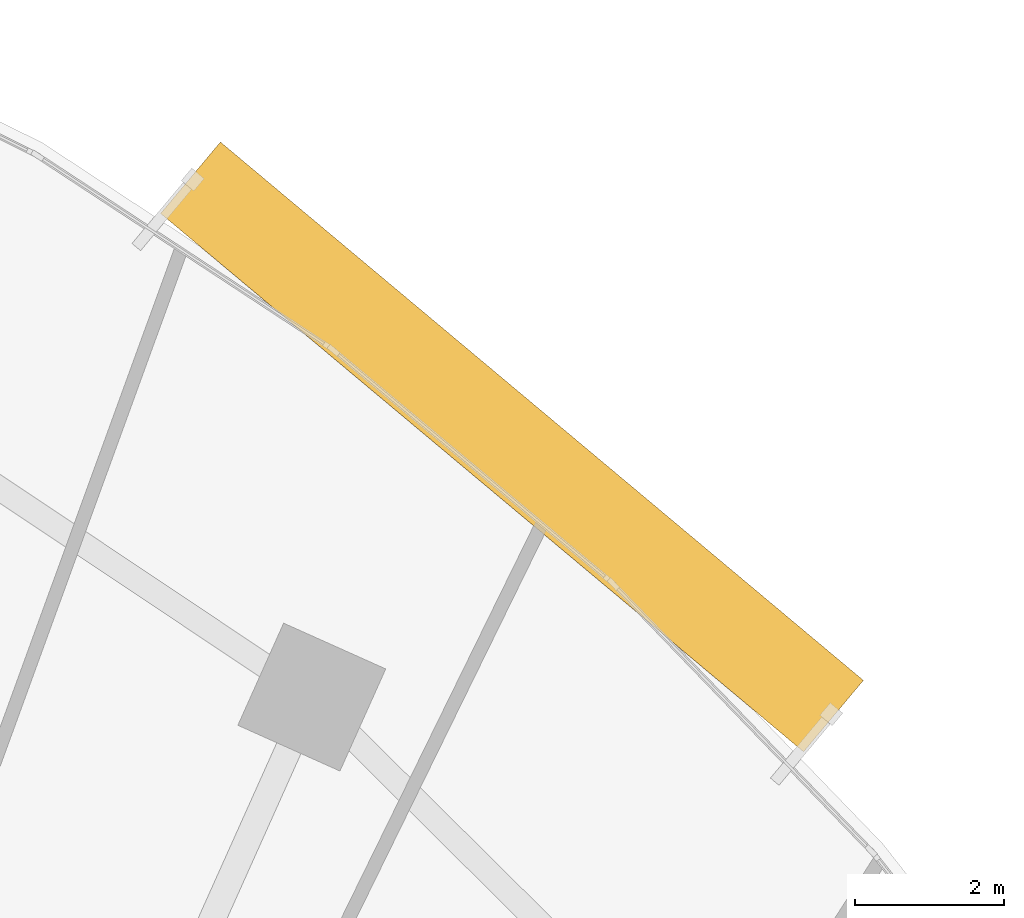
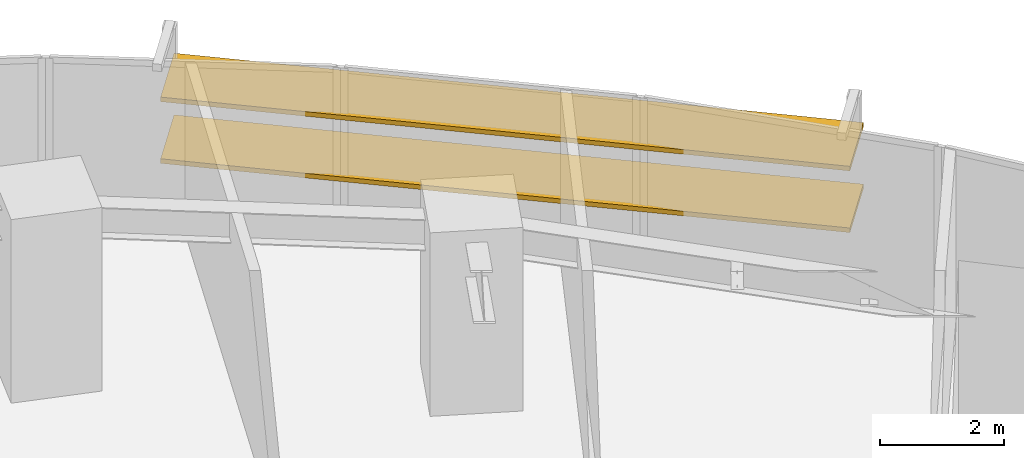
# One storey, part 17 of 17: 2 shading devices.
"""IFC4 building model written with IfcOpenShell, lengths in metres."""

from ifc_helpers import new_model, si_unit, direction, frame, origin, origin_2d, place, context, subcontext, project, spatial, rectangle, extrude, source, transform, mapped, material, material_profile, profile_set, type_object, element, save


model = new_model("IFC4")

# Units and contexts
model_context = context("Model", 3, precision=1e-05, world=origin(), true_north=direction((0.0, 1.0)))
body_context = subcontext(model_context, "Body", "Model", "MODEL_VIEW")
ifc_project = project(units=[si_unit("LENGTHUNIT", "METRE"), si_unit("AREAUNIT", "SQUARE_METRE"), si_unit("VOLUMEUNIT", "CUBIC_METRE"), si_unit("PLANEANGLEUNIT", "RADIAN"), si_unit("MASSUNIT", "GRAM", prefix="KILO")], contexts=[model_context])

# Site, building, storey
site_placement = place(None, origin())
site = spatial("IfcSite", under=ifc_project, at=site_placement, CompositionType="ELEMENT")
building_placement = place(site_placement, origin())
building = spatial("IfcBuilding", under=site, at=building_placement, Name="Breltana Convention Tower", CompositionType="ELEMENT")
storey_placement = place(building_placement, frame((0.0, 0.0, 60.60009765625)))
storey = spatial("IfcBuildingStorey", under=building, at=storey_placement, Name="L13", CompositionType="ELEMENT", Elevation=60.60009765625)

# Shading devices
ifc_material = material(Name="Limestone Warm Buff Honed", Category="masonry")
ifc_material_profile = material_profile(ifc_material, rectangle(XDim=1.25, YDim=0.090087890625, at=origin_2d()), Name="STN-LVR-1250X90")
ifc_profile_set = profile_set([ifc_material_profile], Name="Limestone Warm Buff Honed")
shading_device_type = type_object("IfcShadingDeviceType", Name="SHD-OUTER-SKIN-LIMESTONE-1250", PredefinedType="JALOUSIE", material=ifc_profile_set)
shared_shape = source(origin(), body_context, "Body", "SweptSolid", [
    extrude(rectangle(XDim=1.25, YDim=0.090087890625, at=origin_2d()), origin(), (0.0, 0.0, 1.0), 11.246337890625),
])
for number, where, z_axis, x_axis, name in (
    (1, (67.28369140625, 75.598388671875, 1.20947265625), (0.766719155588, -0.641982660556, 0.0), (0.641982660556, 0.766719155588, 0.0), "L13 outer skin warm limestone louvre 2.1"),
    (2, (67.28369140625, 75.598388671875, 2.419189453125), (0.766719155588, -0.641982660556, 0.0), (0.641982660556, 0.766719155588, 0.0), "L13 outer skin warm limestone louvre 2.2"),
):
    element("IfcShadingDevice", number, at=place(storey_placement, frame(where, z_axis=z_axis, x_axis=x_axis)), inside=storey, type_object=shading_device_type, Name=name, PredefinedType="JALOUSIE", context=body_context, shape_type="MappedRepresentation", body=[
        mapped(shared_shape, transform((0.0, 0.0, 0.0), scale=1.0)),
    ])

save(model, "model.ifc")
